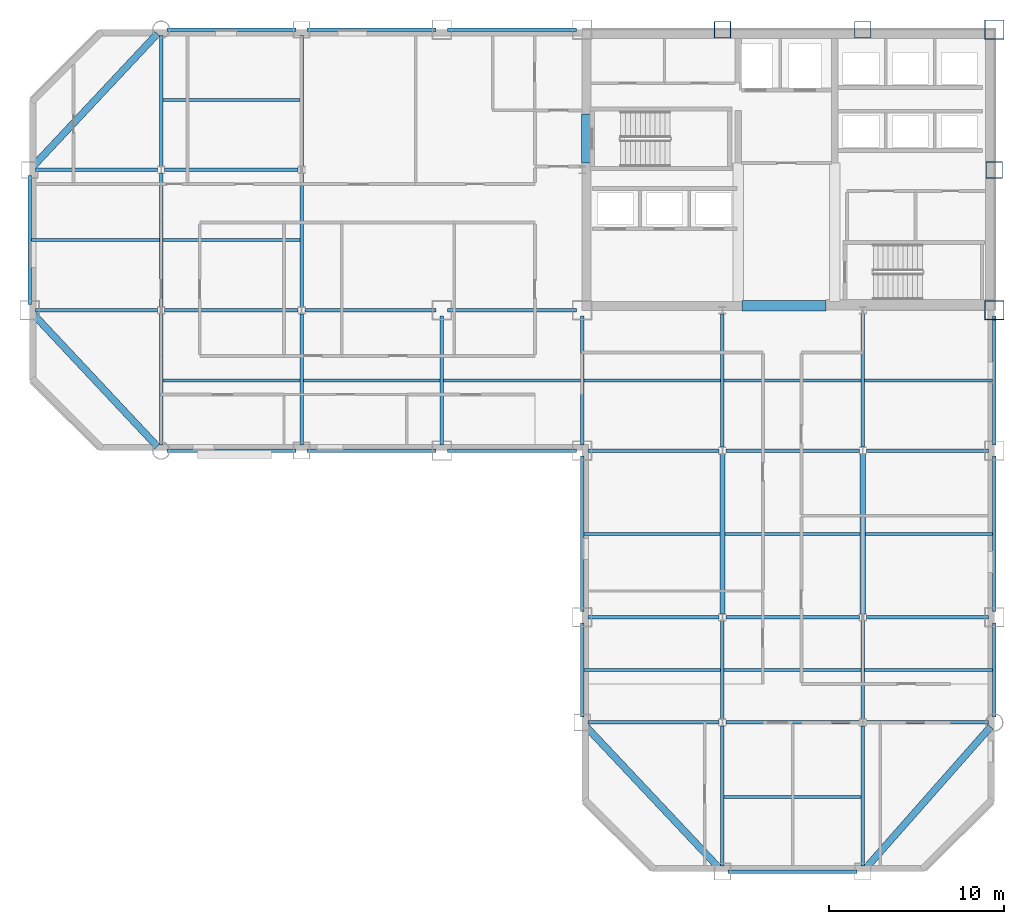
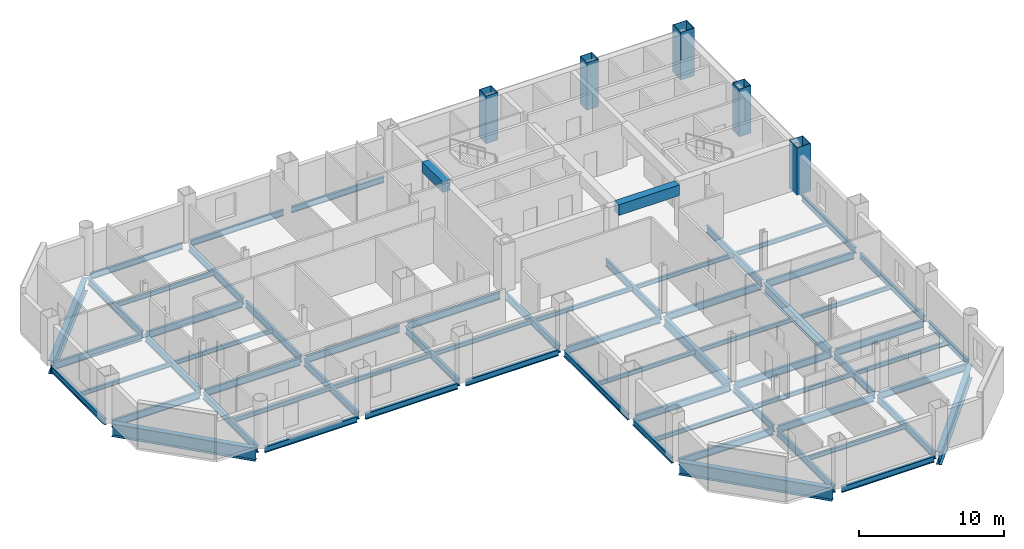
# One storey, part 4 of 10: 66 beams, 5 columns.
"""IFC4 building model written with IfcOpenShell, lengths in metres."""

from ifc_helpers import new_model, si_unit, direction, frame, origin, origin_2d, place, context, subcontext, project, spatial, rectangle, hollow_rectangle, i_section, extrude, material, material_profile, profile_set, type_object, element, save


model = new_model("IFC4")

# Units and contexts
model_context = context("Model", 3, precision=1e-05, world=origin(), true_north=direction((0.0, 1.0)))
body_context = subcontext(model_context, "Body", "Model", "MODEL_VIEW")
ifc_project = project(units=[si_unit("LENGTHUNIT", "METRE"), si_unit("AREAUNIT", "SQUARE_METRE"), si_unit("VOLUMEUNIT", "CUBIC_METRE"), si_unit("PLANEANGLEUNIT", "RADIAN"), si_unit("MASSUNIT", "GRAM", prefix="KILO")], contexts=[model_context])

# Site, building, storey
site_placement = place(None, origin())
site = spatial("IfcSite", under=ifc_project, at=site_placement, CompositionType="ELEMENT")
building_placement = place(site_placement, origin())
building = spatial("IfcBuilding", under=site, at=building_placement, Name="Qianrong Seaharbour Tower", CompositionType="ELEMENT")
storey_placement = place(building_placement, frame((0.0, 0.0, 183.0)))
storey = spatial("IfcBuildingStorey", under=building, at=storey_placement, Name="L44", CompositionType="ELEMENT", Elevation=183.0)

# Columns
ifc_material_1 = material(Name="Structural steel SN490B", Category="steel")
ifc_material_profile_1 = material_profile(ifc_material_1, hollow_rectangle(XDim=1.10009765625, YDim=1.10009765625, WallThickness=0.0400390625, at=origin_2d()), Name="BOX1100x1100x40")
ifc_profile_set_1 = profile_set([ifc_material_profile_1], Name="Structural steel SN490B")
column_type_1 = type_object("IfcColumnType", Name="COL-CFT-1100", PredefinedType="COLUMN", material=ifc_profile_set_1)
for number, where, z_axis, x_axis, name in (
    (1, (64.0, 36.0, 0.0), (0.0, 0.0, 1.0), (1.0, 0.0, 0.0), "L44 Column MC-3 at G9/GF"),
    (2, (64.0, 52.0, 0.0), (0.0, 0.0, 1.0), (1.0, 0.0, 0.0), "L44 Column MC-3 at G9/GH"),
):
    element("IfcColumn", number, at=place(storey_placement, frame(where, z_axis=z_axis, x_axis=x_axis)), inside=storey, type_object=column_type_1, Name=name, PredefinedType="COLUMN", context=body_context, shape_type="SweptSolid", body=[
        extrude(hollow_rectangle(XDim=1.10009765625, YDim=1.10009765625, WallThickness=0.0400390625, at=origin_2d()), origin(), (0.0, 0.0, 1.0), 4.0),
    ])
ifc_material_profile_2 = material_profile(ifc_material_1, hollow_rectangle(XDim=0.949951171875, YDim=0.949951171875, WallThickness=0.035888671875, at=origin_2d()), Name="BOX950x950x36")
ifc_profile_set_2 = profile_set([ifc_material_profile_2], Name="Structural steel SN490B")
column_type_2 = type_object("IfcColumnType", Name="COL-PER-950", PredefinedType="COLUMN", material=ifc_profile_set_2)
for number, where, z_axis, x_axis, name in (
    (3, (48.5, 52.0, 0.0), (0.0, 0.0, 1.0), (1.0, 0.0, 0.0), "L44 Column PC-2 at G7/GH"),
    (4, (56.5, 52.0, 0.0), (0.0, 0.0, 1.0), (1.0, 0.0, 0.0), "L44 Column PC-2 at G8/GH"),
    (5, (64.0, 44.0, 0.0), (0.0, 0.0, 1.0), (1.0, 0.0, 0.0), "L44 Column PC-2 at G9/GG"),
):
    element("IfcColumn", number, at=place(storey_placement, frame(where, z_axis=z_axis, x_axis=x_axis)), inside=storey, type_object=column_type_2, Name=name, PredefinedType="COLUMN", context=body_context, shape_type="SweptSolid", body=[
        extrude(hollow_rectangle(XDim=0.949951171875, YDim=0.949951171875, WallThickness=0.035888671875, at=origin_2d()), origin(), (0.0, 0.0, 1.0), 4.0),
    ])

# Beams
ifc_material_profile_3 = material_profile(ifc_material_1, i_section(OverallWidth=0.199951171875, OverallDepth=0.60009765625, WebThickness=0.010986328125, FlangeThickness=0.01708984375, FilletRadius=0.02197265625, at=origin_2d()), Name="H600x200x11x17")
ifc_profile_set_3 = profile_set([ifc_material_profile_3], Name="Structural steel SN490B")
beam_type_1 = type_object("IfcBeamType", Name="BM-G-600", PredefinedType="BEAM", material=ifc_profile_set_3)
beam_1_placement = place(storey_placement, frame((40.820068359375, 12.5, -0.534912109375), z_axis=(1.0, 0.0, 0.0), x_axis=(0.0, 1.0, 0.0)))
element("IfcBeam", 6, at=beam_1_placement, inside=storey, type_object=beam_type_1, Name="L44 Primary Girder GC G6-G7", PredefinedType="BEAM", context=body_context, shape_type="SweptSolid", body=[
    extrude(i_section(OverallWidth=0.199951171875, OverallDepth=0.60009765625, WebThickness=0.010986328125, FlangeThickness=0.01708984375, FilletRadius=0.02197265625, at=origin_2d()), origin(), (0.0, 0.0, 1.0), 7.47998046875),
])
beam_2_placement = place(storey_placement, frame((48.699951171875, 12.5, -0.534912109375), z_axis=(1.0, 0.0, 0.0), x_axis=(0.0, 1.0, 0.0)))
element("IfcBeam", 7, at=beam_2_placement, inside=storey, type_object=beam_type_1, Name="L44 Primary Girder GC G7-G8", PredefinedType="BEAM", context=body_context, shape_type="SweptSolid", body=[
    extrude(i_section(OverallWidth=0.199951171875, OverallDepth=0.60009765625, WebThickness=0.010986328125, FlangeThickness=0.01708984375, FilletRadius=0.02197265625, at=origin_2d()), origin(), (0.0, 0.0, 1.0), 7.60009765625),
])
beam_3_placement = place(storey_placement, frame((56.699951171875, 12.5, -0.534912109375), z_axis=(1.0, 0.0, 0.0), x_axis=(0.0, 1.0, 0.0)))
element("IfcBeam", 8, at=beam_3_placement, inside=storey, type_object=beam_type_1, Name="L44 Primary Girder GC G8-G9", PredefinedType="BEAM", context=body_context, shape_type="SweptSolid", body=[
    extrude(i_section(OverallWidth=0.199951171875, OverallDepth=0.60009765625, WebThickness=0.010986328125, FlangeThickness=0.01708984375, FilletRadius=0.02197265625, at=origin_2d()), origin(), (0.0, 0.0, 1.0), 6.97998046875),
])
beam_4_placement = place(storey_placement, frame((40.820068359375, 18.5, -0.534912109375), z_axis=(1.0, 0.0, 0.0), x_axis=(0.0, 1.0, 0.0)))
element("IfcBeam", 9, at=beam_4_placement, inside=storey, type_object=beam_type_1, Name="L44 Primary Girder GD G6-G7", PredefinedType="BEAM", context=body_context, shape_type="SweptSolid", body=[
    extrude(i_section(OverallWidth=0.199951171875, OverallDepth=0.60009765625, WebThickness=0.010986328125, FlangeThickness=0.01708984375, FilletRadius=0.02197265625, at=origin_2d()), origin(), (0.0, 0.0, 1.0), 7.47998046875),
])
beam_5_placement = place(storey_placement, frame((48.699951171875, 18.5, -0.534912109375), z_axis=(1.0, 0.0, 0.0), x_axis=(0.0, 1.0, 0.0)))
element("IfcBeam", 10, at=beam_5_placement, inside=storey, type_object=beam_type_1, Name="L44 Primary Girder GD G7-G8", PredefinedType="BEAM", context=body_context, shape_type="SweptSolid", body=[
    extrude(i_section(OverallWidth=0.199951171875, OverallDepth=0.60009765625, WebThickness=0.010986328125, FlangeThickness=0.01708984375, FilletRadius=0.02197265625, at=origin_2d()), origin(), (0.0, 0.0, 1.0), 7.60009765625),
])
beam_6_placement = place(storey_placement, frame((56.699951171875, 18.5, -0.534912109375), z_axis=(1.0, 0.0, 0.0), x_axis=(0.0, 1.0, 0.0)))
element("IfcBeam", 11, at=beam_6_placement, inside=storey, type_object=beam_type_1, Name="L44 Primary Girder GD G8-G9", PredefinedType="BEAM", context=body_context, shape_type="SweptSolid", body=[
    extrude(i_section(OverallWidth=0.199951171875, OverallDepth=0.60009765625, WebThickness=0.010986328125, FlangeThickness=0.01708984375, FilletRadius=0.02197265625, at=origin_2d()), origin(), (0.0, 0.0, 1.0), 6.97998046875),
])
beam_7_placement = place(storey_placement, frame((40.820068359375, 28.0, -0.534912109375), z_axis=(1.0, 0.0, 0.0), x_axis=(0.0, 1.0, 0.0)))
element("IfcBeam", 12, at=beam_7_placement, inside=storey, type_object=beam_type_1, Name="L44 Primary Girder GE G6-G7", PredefinedType="BEAM", context=body_context, shape_type="SweptSolid", body=[
    extrude(i_section(OverallWidth=0.199951171875, OverallDepth=0.60009765625, WebThickness=0.010986328125, FlangeThickness=0.01708984375, FilletRadius=0.02197265625, at=origin_2d()), origin(), (0.0, 0.0, 1.0), 7.47998046875),
])
beam_8_placement = place(storey_placement, frame((48.699951171875, 28.0, -0.534912109375), z_axis=(1.0, 0.0, 0.0), x_axis=(0.0, 1.0, 0.0)))
element("IfcBeam", 13, at=beam_8_placement, inside=storey, type_object=beam_type_1, Name="L44 Primary Girder GE G7-G8", PredefinedType="BEAM", context=body_context, shape_type="SweptSolid", body=[
    extrude(i_section(OverallWidth=0.199951171875, OverallDepth=0.60009765625, WebThickness=0.010986328125, FlangeThickness=0.01708984375, FilletRadius=0.02197265625, at=origin_2d()), origin(), (0.0, 0.0, 1.0), 7.60009765625),
])
for number, where, z_axis, x_axis, name in (
    (14, (56.699951171875, 28.0, -0.534912109375), (1.0, 0.0, 0.0), (0.0, 1.0, 0.0), "L44 Primary Girder GE G8-G9"),
    (15, (9.320068359375, 36.0, -0.534912109375), (1.0, 0.0, 0.0), (0.0, 1.0, 0.0), "L44 Primary Girder GF G2-G3"),
):
    element("IfcBeam", number, at=place(storey_placement, frame(where, z_axis=z_axis, x_axis=x_axis)), inside=storey, type_object=beam_type_1, Name=name, PredefinedType="BEAM", context=body_context, shape_type="SweptSolid", body=[
        extrude(i_section(OverallWidth=0.199951171875, OverallDepth=0.60009765625, WebThickness=0.010986328125, FlangeThickness=0.01708984375, FilletRadius=0.02197265625, at=origin_2d()), origin(), (0.0, 0.0, 1.0), 6.97998046875),
    ])
beam_9_placement = place(storey_placement, frame((16.699951171875, 36.0, -0.534912109375), z_axis=(1.0, 0.0, 0.0), x_axis=(0.0, 1.0, 0.0)))
element("IfcBeam", 16, at=beam_9_placement, inside=storey, type_object=beam_type_1, Name="L44 Primary Girder GF G3-G4", PredefinedType="BEAM", context=body_context, shape_type="SweptSolid", body=[
    extrude(i_section(OverallWidth=0.199951171875, OverallDepth=0.60009765625, WebThickness=0.010986328125, FlangeThickness=0.01708984375, FilletRadius=0.02197265625, at=origin_2d()), origin(), (0.0, 0.0, 1.0), 7.60009765625),
])
beam_10_placement = place(storey_placement, frame((24.699951171875, 36.0, -0.534912109375), z_axis=(1.0, 0.0, 0.0), x_axis=(0.0, 1.0, 0.0)))
element("IfcBeam", 17, at=beam_10_placement, inside=storey, type_object=beam_type_1, Name="L44 Primary Girder GF G4-G5", PredefinedType="BEAM", context=body_context, shape_type="SweptSolid", body=[
    extrude(i_section(OverallWidth=0.199951171875, OverallDepth=0.60009765625, WebThickness=0.010986328125, FlangeThickness=0.01708984375, FilletRadius=0.02197265625, at=origin_2d()), origin(), (0.0, 0.0, 1.0), 7.47998046875),
])
beam_11_placement = place(storey_placement, frame((32.820068359375, 36.0, -0.534912109375), z_axis=(1.0, 0.0, 0.0), x_axis=(0.0, 1.0, 0.0)))
element("IfcBeam", 18, at=beam_11_placement, inside=storey, type_object=beam_type_1, Name="L44 Primary Girder GF G5-G6", PredefinedType="BEAM", context=body_context, shape_type="SweptSolid", body=[
    extrude(i_section(OverallWidth=0.199951171875, OverallDepth=0.60009765625, WebThickness=0.010986328125, FlangeThickness=0.01708984375, FilletRadius=0.02197265625, at=origin_2d()), origin(), (0.0, 0.0, 1.0), 7.35986328125),
])
beam_12_placement = place(storey_placement, frame((9.320068359375, 44.0, -0.534912109375), z_axis=(1.0, 0.0, 0.0), x_axis=(0.0, 1.0, 0.0)))
element("IfcBeam", 19, at=beam_12_placement, inside=storey, type_object=beam_type_1, Name="L44 Primary Girder GG G2-G3", PredefinedType="BEAM", context=body_context, shape_type="SweptSolid", body=[
    extrude(i_section(OverallWidth=0.199951171875, OverallDepth=0.60009765625, WebThickness=0.010986328125, FlangeThickness=0.01708984375, FilletRadius=0.02197265625, at=origin_2d()), origin(), (0.0, 0.0, 1.0), 6.97998046875),
])
beam_13_placement = place(storey_placement, frame((16.699951171875, 44.0, -0.534912109375), z_axis=(1.0, 0.0, 0.0), x_axis=(0.0, 1.0, 0.0)))
element("IfcBeam", 20, at=beam_13_placement, inside=storey, type_object=beam_type_1, Name="L44 Primary Girder GG G3-G4", PredefinedType="BEAM", context=body_context, shape_type="SweptSolid", body=[
    extrude(i_section(OverallWidth=0.199951171875, OverallDepth=0.60009765625, WebThickness=0.010986328125, FlangeThickness=0.01708984375, FilletRadius=0.02197265625, at=origin_2d()), origin(), (0.0, 0.0, 1.0), 7.60009765625),
])
beam_14_placement = place(storey_placement, frame((16.5, 28.320068359375, -0.534912109375), z_axis=(0.0, 1.0, 0.0), x_axis=(-1.0, 0.0, 0.0)))
element("IfcBeam", 21, at=beam_14_placement, inside=storey, type_object=beam_type_1, Name="L44 Primary Girder G3 GE-GF", PredefinedType="BEAM", context=body_context, shape_type="SweptSolid", body=[
    extrude(i_section(OverallWidth=0.199951171875, OverallDepth=0.60009765625, WebThickness=0.010986328125, FlangeThickness=0.01708984375, FilletRadius=0.02197265625, at=origin_2d()), origin(), (0.0, 0.0, 1.0), 7.47998046875),
])
beam_15_placement = place(storey_placement, frame((16.5, 36.199951171875, -0.534912109375), z_axis=(0.0, 1.0, 0.0), x_axis=(-1.0, 0.0, 0.0)))
element("IfcBeam", 22, at=beam_15_placement, inside=storey, type_object=beam_type_1, Name="L44 Primary Girder G3 GF-GG", PredefinedType="BEAM", context=body_context, shape_type="SweptSolid", body=[
    extrude(i_section(OverallWidth=0.199951171875, OverallDepth=0.60009765625, WebThickness=0.010986328125, FlangeThickness=0.01708984375, FilletRadius=0.02197265625, at=origin_2d()), origin(), (0.0, 0.0, 1.0), 7.60009765625),
])
for number, where, z_axis, x_axis, name in (
    (23, (16.5, 44.199951171875, -0.534912109375), (0.0, 1.0, 0.0), (-1.0, 0.0, 0.0), "L44 Primary Girder G3 GG-GH"),
    (24, (24.5, 28.320068359375, -0.534912109375), (0.0, 1.0, 0.0), (-1.0, 0.0, 0.0), "L44 Primary Girder G4 GE-GF"),
):
    element("IfcBeam", number, at=place(storey_placement, frame(where, z_axis=z_axis, x_axis=x_axis)), inside=storey, type_object=beam_type_1, Name=name, PredefinedType="BEAM", context=body_context, shape_type="SweptSolid", body=[
        extrude(i_section(OverallWidth=0.199951171875, OverallDepth=0.60009765625, WebThickness=0.010986328125, FlangeThickness=0.01708984375, FilletRadius=0.02197265625, at=origin_2d()), origin(), (0.0, 0.0, 1.0), 7.47998046875),
    ])
beam_16_placement = place(storey_placement, frame((24.5, 36.199951171875, -0.534912109375), z_axis=(0.0, 1.0, 0.0), x_axis=(-1.0, 0.0, 0.0)))
element("IfcBeam", 25, at=beam_16_placement, inside=storey, type_object=beam_type_1, Name="L44 Primary Girder G4 GF-GG", PredefinedType="BEAM", context=body_context, shape_type="SweptSolid", body=[
    extrude(i_section(OverallWidth=0.199951171875, OverallDepth=0.60009765625, WebThickness=0.010986328125, FlangeThickness=0.01708984375, FilletRadius=0.02197265625, at=origin_2d()), origin(), (0.0, 0.0, 1.0), 7.60009765625),
])
beam_17_placement = place(storey_placement, frame((24.5, 44.199951171875, -0.534912109375), z_axis=(0.0, 1.0, 0.0), x_axis=(-1.0, 0.0, 0.0)))
element("IfcBeam", 26, at=beam_17_placement, inside=storey, type_object=beam_type_1, Name="L44 Primary Girder G4 GG-GH", PredefinedType="BEAM", context=body_context, shape_type="SweptSolid", body=[
    extrude(i_section(OverallWidth=0.199951171875, OverallDepth=0.60009765625, WebThickness=0.010986328125, FlangeThickness=0.01708984375, FilletRadius=0.02197265625, at=origin_2d()), origin(), (0.0, 0.0, 1.0), 7.47998046875),
])
for number, where, z_axis, x_axis, name in (
    (27, (32.5, 28.320068359375, -0.534912109375), (0.0, 1.0, 0.0), (-1.0, 0.0, 0.0), "L44 Primary Girder G5 GE-GF"),
    (28, (40.5, 28.320068359375, -0.534912109375), (0.0, 1.0, 0.0), (-1.0, 0.0, 0.0), "L44 Primary Girder G6 GE-GF"),
):
    element("IfcBeam", number, at=place(storey_placement, frame(where, z_axis=z_axis, x_axis=x_axis)), inside=storey, type_object=beam_type_1, Name=name, PredefinedType="BEAM", context=body_context, shape_type="SweptSolid", body=[
        extrude(i_section(OverallWidth=0.199951171875, OverallDepth=0.60009765625, WebThickness=0.010986328125, FlangeThickness=0.01708984375, FilletRadius=0.02197265625, at=origin_2d()), origin(), (0.0, 0.0, 1.0), 7.35986328125),
    ])
beam_18_placement = place(storey_placement, frame((48.5, 4.320068359375, -0.534912109375), z_axis=(0.0, 1.0, 0.0), x_axis=(-1.0, 0.0, 0.0)))
element("IfcBeam", 29, at=beam_18_placement, inside=storey, type_object=beam_type_1, Name="L44 Primary Girder G7 GB-GC", PredefinedType="BEAM", context=body_context, shape_type="SweptSolid", body=[
    extrude(i_section(OverallWidth=0.199951171875, OverallDepth=0.60009765625, WebThickness=0.010986328125, FlangeThickness=0.01708984375, FilletRadius=0.02197265625, at=origin_2d()), origin(), (0.0, 0.0, 1.0), 7.97998046875),
])
beam_19_placement = place(storey_placement, frame((48.5, 12.699951171875, -0.534912109375), z_axis=(0.0, 1.0, 0.0), x_axis=(-1.0, 0.0, 0.0)))
element("IfcBeam", 30, at=beam_19_placement, inside=storey, type_object=beam_type_1, Name="L44 Primary Girder G7 GC-GD", PredefinedType="BEAM", context=body_context, shape_type="SweptSolid", body=[
    extrude(i_section(OverallWidth=0.199951171875, OverallDepth=0.60009765625, WebThickness=0.010986328125, FlangeThickness=0.01708984375, FilletRadius=0.02197265625, at=origin_2d()), origin(), (0.0, 0.0, 1.0), 5.60009765625),
])
beam_20_placement = place(storey_placement, frame((48.5, 28.199951171875, -0.534912109375), z_axis=(0.0, 1.0, 0.0), x_axis=(-1.0, 0.0, 0.0)))
element("IfcBeam", 31, at=beam_20_placement, inside=storey, type_object=beam_type_1, Name="L44 Primary Girder G7 GE-GF", PredefinedType="BEAM", context=body_context, shape_type="SweptSolid", body=[
    extrude(i_section(OverallWidth=0.199951171875, OverallDepth=0.60009765625, WebThickness=0.010986328125, FlangeThickness=0.01708984375, FilletRadius=0.02197265625, at=origin_2d()), origin(), (0.0, 0.0, 1.0), 7.60009765625),
])
beam_21_placement = place(storey_placement, frame((56.5, 4.320068359375, -0.534912109375), z_axis=(0.0, 1.0, 0.0), x_axis=(-1.0, 0.0, 0.0)))
element("IfcBeam", 32, at=beam_21_placement, inside=storey, type_object=beam_type_1, Name="L44 Primary Girder G8 GB-GC", PredefinedType="BEAM", context=body_context, shape_type="SweptSolid", body=[
    extrude(i_section(OverallWidth=0.199951171875, OverallDepth=0.60009765625, WebThickness=0.010986328125, FlangeThickness=0.01708984375, FilletRadius=0.02197265625, at=origin_2d()), origin(), (0.0, 0.0, 1.0), 7.97998046875),
])
beam_22_placement = place(storey_placement, frame((56.5, 12.699951171875, -0.534912109375), z_axis=(0.0, 1.0, 0.0), x_axis=(-1.0, 0.0, 0.0)))
element("IfcBeam", 33, at=beam_22_placement, inside=storey, type_object=beam_type_1, Name="L44 Primary Girder G8 GC-GD", PredefinedType="BEAM", context=body_context, shape_type="SweptSolid", body=[
    extrude(i_section(OverallWidth=0.199951171875, OverallDepth=0.60009765625, WebThickness=0.010986328125, FlangeThickness=0.01708984375, FilletRadius=0.02197265625, at=origin_2d()), origin(), (0.0, 0.0, 1.0), 5.60009765625),
])
beam_23_placement = place(storey_placement, frame((56.5, 28.199951171875, -0.534912109375), z_axis=(0.0, 1.0, 0.0), x_axis=(-1.0, 0.0, 0.0)))
element("IfcBeam", 34, at=beam_23_placement, inside=storey, type_object=beam_type_1, Name="L44 Primary Girder G8 GE-GF", PredefinedType="BEAM", context=body_context, shape_type="SweptSolid", body=[
    extrude(i_section(OverallWidth=0.199951171875, OverallDepth=0.60009765625, WebThickness=0.010986328125, FlangeThickness=0.01708984375, FilletRadius=0.02197265625, at=origin_2d()), origin(), (0.0, 0.0, 1.0), 7.60009765625),
])
ifc_material_profile_4 = material_profile(ifc_material_1, i_section(OverallWidth=0.300048828125, OverallDepth=0.800048828125, WebThickness=0.013916015625, FlangeThickness=0.02587890625, FilletRadius=0.028076171875, at=origin_2d()), Name="H800x300x14x26")
ifc_profile_set_4 = profile_set([ifc_material_profile_4], Name="Structural steel SN490B")
beam_type_2 = type_object("IfcBeamType", Name="BM-G-800", PredefinedType="BEAM", material=ifc_profile_set_4)
for number, where, z_axis, x_axis, name in (
    (35, (48.5, 18.699951171875, -0.635009765625), (0.0, 1.0, 0.0), (-1.0, 0.0, 0.0), "L44 Primary Girder G7 GD-GE"),
    (36, (56.5, 18.699951171875, -0.635009765625), (0.0, 1.0, 0.0), (-1.0, 0.0, 0.0), "L44 Primary Girder G8 GD-GE"),
):
    element("IfcBeam", number, at=place(storey_placement, frame(where, z_axis=z_axis, x_axis=x_axis)), inside=storey, type_object=beam_type_2, Name=name, PredefinedType="BEAM", context=body_context, shape_type="SweptSolid", body=[
        extrude(i_section(OverallWidth=0.300048828125, OverallDepth=0.800048828125, WebThickness=0.013916015625, FlangeThickness=0.02587890625, FilletRadius=0.028076171875, at=origin_2d()), origin(), (0.0, 0.0, 1.0), 9.10009765625),
    ])
ifc_material_2 = material(Name="Structural steel SN400B", Category="steel")
ifc_material_profile_5 = material_profile(ifc_material_2, i_section(OverallWidth=0.175048828125, OverallDepth=0.35009765625, WebThickness=0.007080078125, FlangeThickness=0.010986328125, FilletRadius=0.013916015625, at=origin_2d()), Name="H350x175x7x11")
ifc_profile_set_5 = profile_set([ifc_material_profile_5], Name="Structural steel SN400B")
beam_type_3 = type_object("IfcBeamType", Name="BM-J-350", PredefinedType="JOIST", material=ifc_profile_set_5)
beam_24_placement = place(storey_placement, frame((9.10009765625, 40.0, -0.409912109375), z_axis=(1.0, 0.0, 0.0), x_axis=(0.0, 1.0, 0.0)))
element("IfcBeam", 37, at=beam_24_placement, inside=storey, type_object=beam_type_3, Name="L44 Composite Floor Joist G2-G3/GF-GG", PredefinedType="JOIST", context=body_context, shape_type="SweptSolid", body=[
    extrude(i_section(OverallWidth=0.175048828125, OverallDepth=0.35009765625, WebThickness=0.007080078125, FlangeThickness=0.010986328125, FilletRadius=0.013916015625, at=origin_2d()), origin(), (0.0, 0.0, 1.0), 7.2998046875),
])
for number, where, z_axis, x_axis, name in (
    (38, (16.60009765625, 32.0, -0.409912109375), (1.0, 0.0, 0.0), (0.0, 1.0, 0.0), "L44 Composite Floor Joist G3-G4/GE-GF"),
    (39, (16.60009765625, 40.0, -0.409912109375), (1.0, 0.0, 0.0), (0.0, 1.0, 0.0), "L44 Composite Floor Joist G3-G4/GF-GG"),
    (40, (16.60009765625, 48.0, -0.409912109375), (1.0, 0.0, 0.0), (0.0, 1.0, 0.0), "L44 Composite Floor Joist G3-G4/GG-GH"),
    (41, (24.60009765625, 32.0, -0.409912109375), (1.0, 0.0, 0.0), (0.0, 1.0, 0.0), "L44 Composite Floor Joist G4-G5/GE-GF"),
    (42, (32.60009765625, 32.0, -0.409912109375), (1.0, 0.0, 0.0), (0.0, 1.0, 0.0), "L44 Composite Floor Joist G5-G6/GE-GF"),
    (43, (40.60009765625, 15.5, -0.409912109375), (1.0, 0.0, 0.0), (0.0, 1.0, 0.0), "L44 Composite Floor Joist G6-G7/GC-GD"),
):
    element("IfcBeam", number, at=place(storey_placement, frame(where, z_axis=z_axis, x_axis=x_axis)), inside=storey, type_object=beam_type_3, Name=name, PredefinedType="JOIST", context=body_context, shape_type="SweptSolid", body=[
        extrude(i_section(OverallWidth=0.175048828125, OverallDepth=0.35009765625, WebThickness=0.007080078125, FlangeThickness=0.010986328125, FilletRadius=0.013916015625, at=origin_2d()), origin(), (0.0, 0.0, 1.0), 7.7998046875),
    ])
beam_25_placement = place(storey_placement, frame((40.60009765625, 23.25, -0.409912109375), z_axis=(1.0, 0.0, 0.0), x_axis=(0.0, 1.0, 0.0)))
element("IfcBeam", 44, at=beam_25_placement, inside=storey, type_object=beam_type_3, Name="L44 Composite Floor Joist G6-G7/GD-GE", PredefinedType="JOIST", context=body_context, shape_type="SweptSolid", body=[
    extrude(i_section(OverallWidth=0.175048828125, OverallDepth=0.35009765625, WebThickness=0.007080078125, FlangeThickness=0.010986328125, FilletRadius=0.013916015625, at=origin_2d()), origin(), (0.0, 0.0, 1.0), 7.75),
])
for number, where, z_axis, x_axis, name in (
    (45, (40.60009765625, 32.0, -0.409912109375), (1.0, 0.0, 0.0), (0.0, 1.0, 0.0), "L44 Composite Floor Joist G6-G7/GE-GF"),
    (46, (48.60009765625, 8.25, -0.409912109375), (1.0, 0.0, 0.0), (0.0, 1.0, 0.0), "L44 Composite Floor Joist G7-G8/GB-GC"),
    (47, (48.60009765625, 15.5, -0.409912109375), (1.0, 0.0, 0.0), (0.0, 1.0, 0.0), "L44 Composite Floor Joist G7-G8/GC-GD"),
):
    element("IfcBeam", number, at=place(storey_placement, frame(where, z_axis=z_axis, x_axis=x_axis)), inside=storey, type_object=beam_type_3, Name=name, PredefinedType="JOIST", context=body_context, shape_type="SweptSolid", body=[
        extrude(i_section(OverallWidth=0.175048828125, OverallDepth=0.35009765625, WebThickness=0.007080078125, FlangeThickness=0.010986328125, FilletRadius=0.013916015625, at=origin_2d()), origin(), (0.0, 0.0, 1.0), 7.7998046875),
    ])
beam_26_placement = place(storey_placement, frame((48.64990234375, 23.25, -0.409912109375), z_axis=(1.0, 0.0, 0.0), x_axis=(0.0, 1.0, 0.0)))
element("IfcBeam", 48, at=beam_26_placement, inside=storey, type_object=beam_type_3, Name="L44 Composite Floor Joist G7-G8/GD-GE", PredefinedType="JOIST", context=body_context, shape_type="SweptSolid", body=[
    extrude(i_section(OverallWidth=0.175048828125, OverallDepth=0.35009765625, WebThickness=0.007080078125, FlangeThickness=0.010986328125, FilletRadius=0.013916015625, at=origin_2d()), origin(), (0.0, 0.0, 1.0), 7.7001953125),
])
beam_27_placement = place(storey_placement, frame((48.60009765625, 32.0, -0.409912109375), z_axis=(1.0, 0.0, 0.0), x_axis=(0.0, 1.0, 0.0)))
element("IfcBeam", 49, at=beam_27_placement, inside=storey, type_object=beam_type_3, Name="L44 Composite Floor Joist G7-G8/GE-GF", PredefinedType="JOIST", context=body_context, shape_type="SweptSolid", body=[
    extrude(i_section(OverallWidth=0.175048828125, OverallDepth=0.35009765625, WebThickness=0.007080078125, FlangeThickness=0.010986328125, FilletRadius=0.013916015625, at=origin_2d()), origin(), (0.0, 0.0, 1.0), 7.7998046875),
])
beam_28_placement = place(storey_placement, frame((56.60009765625, 15.5, -0.409912109375), z_axis=(1.0, 0.0, 0.0), x_axis=(0.0, 1.0, 0.0)))
element("IfcBeam", 50, at=beam_28_placement, inside=storey, type_object=beam_type_3, Name="L44 Composite Floor Joist G8-G9/GC-GD", PredefinedType="JOIST", context=body_context, shape_type="SweptSolid", body=[
    extrude(i_section(OverallWidth=0.175048828125, OverallDepth=0.35009765625, WebThickness=0.007080078125, FlangeThickness=0.010986328125, FilletRadius=0.013916015625, at=origin_2d()), origin(), (0.0, 0.0, 1.0), 7.2998046875),
])
beam_29_placement = place(storey_placement, frame((56.64990234375, 23.25, -0.409912109375), z_axis=(1.0, 0.0, 0.0), x_axis=(0.0, 1.0, 0.0)))
element("IfcBeam", 51, at=beam_29_placement, inside=storey, type_object=beam_type_3, Name="L44 Composite Floor Joist G8-G9/GD-GE", PredefinedType="JOIST", context=body_context, shape_type="SweptSolid", body=[
    extrude(i_section(OverallWidth=0.175048828125, OverallDepth=0.35009765625, WebThickness=0.007080078125, FlangeThickness=0.010986328125, FilletRadius=0.013916015625, at=origin_2d()), origin(), (0.0, 0.0, 1.0), 7.25),
])
beam_30_placement = place(storey_placement, frame((56.60009765625, 32.0, -0.409912109375), z_axis=(1.0, 0.0, 0.0), x_axis=(0.0, 1.0, 0.0)))
element("IfcBeam", 52, at=beam_30_placement, inside=storey, type_object=beam_type_3, Name="L44 Composite Floor Joist G8-G9/GE-GF", PredefinedType="JOIST", context=body_context, shape_type="SweptSolid", body=[
    extrude(i_section(OverallWidth=0.175048828125, OverallDepth=0.35009765625, WebThickness=0.007080078125, FlangeThickness=0.010986328125, FilletRadius=0.013916015625, at=origin_2d()), origin(), (0.0, 0.0, 1.0), 7.2998046875),
])
ifc_material_3 = material(Name="Concrete C70/85", Category="concrete")
ifc_material_profile_6 = material_profile(ifc_material_3, rectangle(XDim=0.60009765625, YDim=0.89990234375, at=origin_2d()), Name="RC600x900")
ifc_profile_set_6 = profile_set([ifc_material_profile_6], Name="Concrete C70/85")
beam_type_4 = type_object("IfcBeamType", Name="BM-LINTEL-900", PredefinedType="LINTEL", material=ifc_profile_set_6)
beam_31_placement = place(storey_placement, frame((40.75, 44.39990234375, 3.31494140625), z_axis=(0.0, 1.0, 0.0), x_axis=(-1.0, 0.0, 0.0)))
element("IfcBeam", 53, at=beam_31_placement, inside=storey, type_object=beam_type_4, Name="L44 Core Coupling Lintel Beam West", PredefinedType="LINTEL", context=body_context, shape_type="SweptSolid", body=[
    extrude(rectangle(XDim=0.60009765625, YDim=0.89990234375, at=origin_2d()), origin(), (0.0, 0.0, 1.0), 2.800048828125),
])
beam_32_placement = place(storey_placement, frame((49.60009765625, 36.25, 3.31494140625), z_axis=(1.0, 0.0, 0.0), x_axis=(0.0, 1.0, 0.0)))
element("IfcBeam", 54, at=beam_32_placement, inside=storey, type_object=beam_type_4, Name="L44 Core Coupling Lintel Beam CBC", PredefinedType="LINTEL", context=body_context, shape_type="SweptSolid", body=[
    extrude(rectangle(XDim=0.60009765625, YDim=0.89990234375, at=origin_2d()), origin(), (0.0, 0.0, 1.0), 4.7998046875),
])
ifc_material_profile_7 = material_profile(ifc_material_1, i_section(OverallWidth=0.199951171875, OverallDepth=0.5, WebThickness=0.010009765625, FlangeThickness=0.01611328125, FilletRadius=0.02001953125, at=origin_2d()), Name="H500x200x10x16")
ifc_profile_set_7 = profile_set([ifc_material_profile_7], Name="Structural steel SN490B")
beam_type_5 = type_object("IfcBeamType", Name="BM-SP-500", PredefinedType="SPANDREL", material=ifc_profile_set_7)
for number, where, z_axis, x_axis, name in (
    (55, (48.820068359375, 4.0, -0.485107421875), (1.0, 0.0, 0.0), (0.0, 1.0, 0.0), "L44 Spandrel Girder GB G7-G8"),
    (56, (16.820068359375, 28.0, -0.485107421875), (1.0, 0.0, 0.0), (0.0, 1.0, 0.0), "L44 Spandrel Girder GE G3-G4"),
    (57, (24.820068359375, 28.0, -0.485107421875), (1.0, 0.0, 0.0), (0.0, 1.0, 0.0), "L44 Spandrel Girder GE G4-G5"),
    (58, (32.820068359375, 28.0, -0.485107421875), (1.0, 0.0, 0.0), (0.0, 1.0, 0.0), "L44 Spandrel Girder GE G5-G6"),
    (59, (16.820068359375, 52.0, -0.485107421875), (1.0, 0.0, 0.0), (0.0, 1.0, 0.0), "L44 Spandrel Girder GH G3-G4"),
    (60, (24.820068359375, 52.0, -0.485107421875), (1.0, 0.0, 0.0), (0.0, 1.0, 0.0), "L44 Spandrel Girder GH G4-G5"),
    (61, (32.820068359375, 52.0, -0.485107421875), (1.0, 0.0, 0.0), (0.0, 1.0, 0.0), "L44 Spandrel Girder GH G5-G6"),
    (62, (9.0, 36.320068359375, -0.485107421875), (0.0, 1.0, 0.0), (-1.0, 0.0, 0.0), "L44 Spandrel Girder G2 GF-GG"),
):
    element("IfcBeam", number, at=place(storey_placement, frame(where, z_axis=z_axis, x_axis=x_axis)), inside=storey, type_object=beam_type_5, Name=name, PredefinedType="SPANDREL", context=body_context, shape_type="SweptSolid", body=[
        extrude(i_section(OverallWidth=0.199951171875, OverallDepth=0.5, WebThickness=0.010009765625, FlangeThickness=0.01611328125, FilletRadius=0.02001953125, at=origin_2d()), origin(), (0.0, 0.0, 1.0), 7.35986328125),
    ])
beam_33_placement = place(storey_placement, frame((40.5, 12.820068359375, -0.485107421875), z_axis=(0.0, 1.0, 0.0), x_axis=(-1.0, 0.0, 0.0)))
element("IfcBeam", 63, at=beam_33_placement, inside=storey, type_object=beam_type_5, Name="L44 Spandrel Girder G6 GC-GD", PredefinedType="SPANDREL", context=body_context, shape_type="SweptSolid", body=[
    extrude(i_section(OverallWidth=0.199951171875, OverallDepth=0.5, WebThickness=0.010009765625, FlangeThickness=0.01611328125, FilletRadius=0.02001953125, at=origin_2d()), origin(), (0.0, 0.0, 1.0), 5.35986328125),
])
beam_34_placement = place(storey_placement, frame((40.5, 18.820068359375, -0.485107421875), z_axis=(0.0, 1.0, 0.0), x_axis=(-1.0, 0.0, 0.0)))
element("IfcBeam", 64, at=beam_34_placement, inside=storey, type_object=beam_type_5, Name="L44 Spandrel Girder G6 GD-GE", PredefinedType="SPANDREL", context=body_context, shape_type="SweptSolid", body=[
    extrude(i_section(OverallWidth=0.199951171875, OverallDepth=0.5, WebThickness=0.010009765625, FlangeThickness=0.01611328125, FilletRadius=0.02001953125, at=origin_2d()), origin(), (0.0, 0.0, 1.0), 8.85986328125),
])
beam_35_placement = place(storey_placement, frame((64.0, 12.820068359375, -0.485107421875), z_axis=(0.0, 1.0, 0.0), x_axis=(-1.0, 0.0, 0.0)))
element("IfcBeam", 65, at=beam_35_placement, inside=storey, type_object=beam_type_5, Name="L44 Spandrel Girder G9 GC-GD", PredefinedType="SPANDREL", context=body_context, shape_type="SweptSolid", body=[
    extrude(i_section(OverallWidth=0.199951171875, OverallDepth=0.5, WebThickness=0.010009765625, FlangeThickness=0.01611328125, FilletRadius=0.02001953125, at=origin_2d()), origin(), (0.0, 0.0, 1.0), 5.35986328125),
])
beam_36_placement = place(storey_placement, frame((64.0, 18.820068359375, -0.485107421875), z_axis=(0.0, 1.0, 0.0), x_axis=(-1.0, 0.0, 0.0)))
element("IfcBeam", 66, at=beam_36_placement, inside=storey, type_object=beam_type_5, Name="L44 Spandrel Girder G9 GD-GE", PredefinedType="SPANDREL", context=body_context, shape_type="SweptSolid", body=[
    extrude(i_section(OverallWidth=0.199951171875, OverallDepth=0.5, WebThickness=0.010009765625, FlangeThickness=0.01611328125, FilletRadius=0.02001953125, at=origin_2d()), origin(), (0.0, 0.0, 1.0), 8.85986328125),
])
beam_37_placement = place(storey_placement, frame((64.0, 28.320068359375, -0.485107421875), z_axis=(0.0, 1.0, 0.0), x_axis=(-1.0, 0.0, 0.0)))
element("IfcBeam", 67, at=beam_37_placement, inside=storey, type_object=beam_type_5, Name="L44 Spandrel Girder G9 GE-GF", PredefinedType="SPANDREL", context=body_context, shape_type="SweptSolid", body=[
    extrude(i_section(OverallWidth=0.199951171875, OverallDepth=0.5, WebThickness=0.010009765625, FlangeThickness=0.01611328125, FilletRadius=0.02001953125, at=origin_2d()), origin(), (0.0, 0.0, 1.0), 7.35986328125),
])
ifc_material_profile_8 = material_profile(ifc_material_1, i_section(OverallWidth=0.39990234375, OverallDepth=1.10009765625, WebThickness=0.02001953125, FlangeThickness=0.035888671875, at=origin_2d()), Name="BH1100x400x20x36")
ifc_profile_set_8 = profile_set([ifc_material_profile_8], Name="Structural steel SN490B")
beam_type_6 = type_object("IfcBeamType", Name="BM-TG-1100", PredefinedType="BEAM", material=ifc_profile_set_8)
for number, where, z_axis, x_axis, name in (
    (68, (16.28125, 28.2333984375, -0.784912109375), (-0.683947420573, 0.729531305628, 0.0), (-0.729531305628, -0.683947420573, 0.0), "L44 Chamfer Corner Spandrel Girder G2/GE"),
    (69, (16.28125, 51.7666015625, -0.784912109375), (-0.683947420573, -0.729531305628, 0.0), (0.729531305628, -0.683947420573, 0.0), "L44 Chamfer Corner Spandrel Girder G2/GH"),
):
    element("IfcBeam", number, at=place(storey_placement, frame(where, z_axis=z_axis, x_axis=x_axis)), inside=storey, type_object=beam_type_6, Name=name, PredefinedType="BEAM", context=body_context, shape_type="SweptSolid", body=[
        extrude(i_section(OverallWidth=0.39990234375, OverallDepth=1.10009765625, WebThickness=0.02001953125, FlangeThickness=0.035888671875, at=origin_2d()), origin(), (0.0, 0.0, 1.0), 10.326171875),
    ])
beam_38_placement = place(storey_placement, frame((48.28076171875, 4.23291015625, -0.784912109375), z_axis=(-0.685361938021, 0.728202591256, 0.0), x_axis=(-0.728202591256, -0.685361938021, 0.0)))
element("IfcBeam", 70, at=beam_38_placement, inside=storey, type_object=beam_type_6, Name="L44 Chamfer Corner Spandrel Girder G6/GB", PredefinedType="BEAM", context=body_context, shape_type="SweptSolid", body=[
    extrude(i_section(OverallWidth=0.39990234375, OverallDepth=1.10009765625, WebThickness=0.02001953125, FlangeThickness=0.035888671875, at=origin_2d()), origin(), (0.0, 0.0, 1.0), 11.032958984375),
])
beam_39_placement = place(storey_placement, frame((56.711669921875, 4.239990234375, -0.784912109375), z_axis=(0.661630696334, 0.749829861815, 0.0), x_axis=(-0.749829861815, 0.661630696334, 0.0)))
element("IfcBeam", 71, at=beam_39_placement, inside=storey, type_object=beam_type_6, Name="L44 Chamfer Corner Spandrel Girder G9/GB", PredefinedType="BEAM", context=body_context, shape_type="SweptSolid", body=[
    extrude(i_section(OverallWidth=0.39990234375, OverallDepth=1.10009765625, WebThickness=0.02001953125, FlangeThickness=0.035888671875, at=origin_2d()), origin(), (0.0, 0.0, 1.0), 10.69580078125),
])

save(model, "model.ifc")
